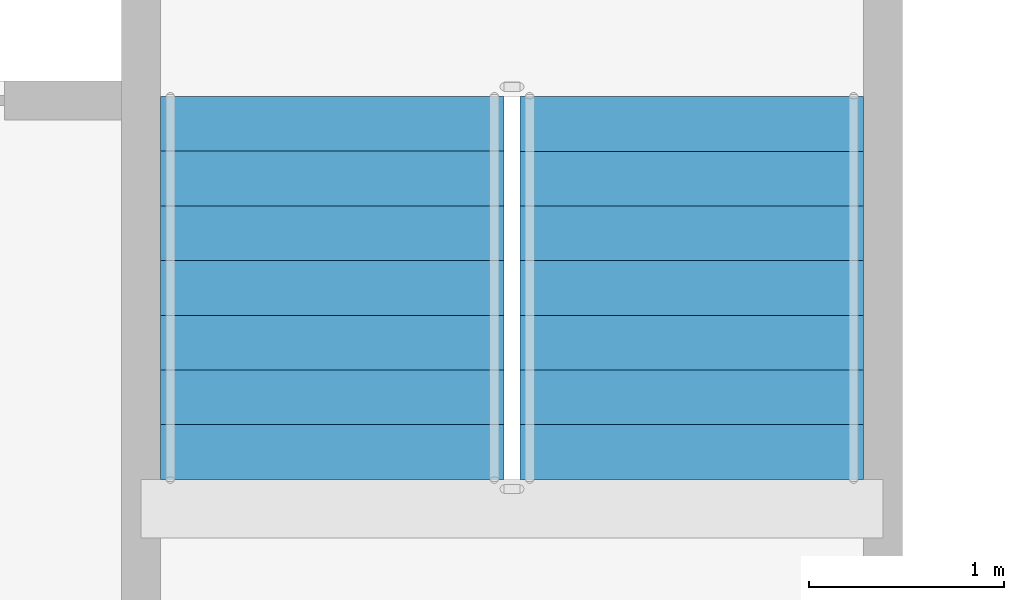
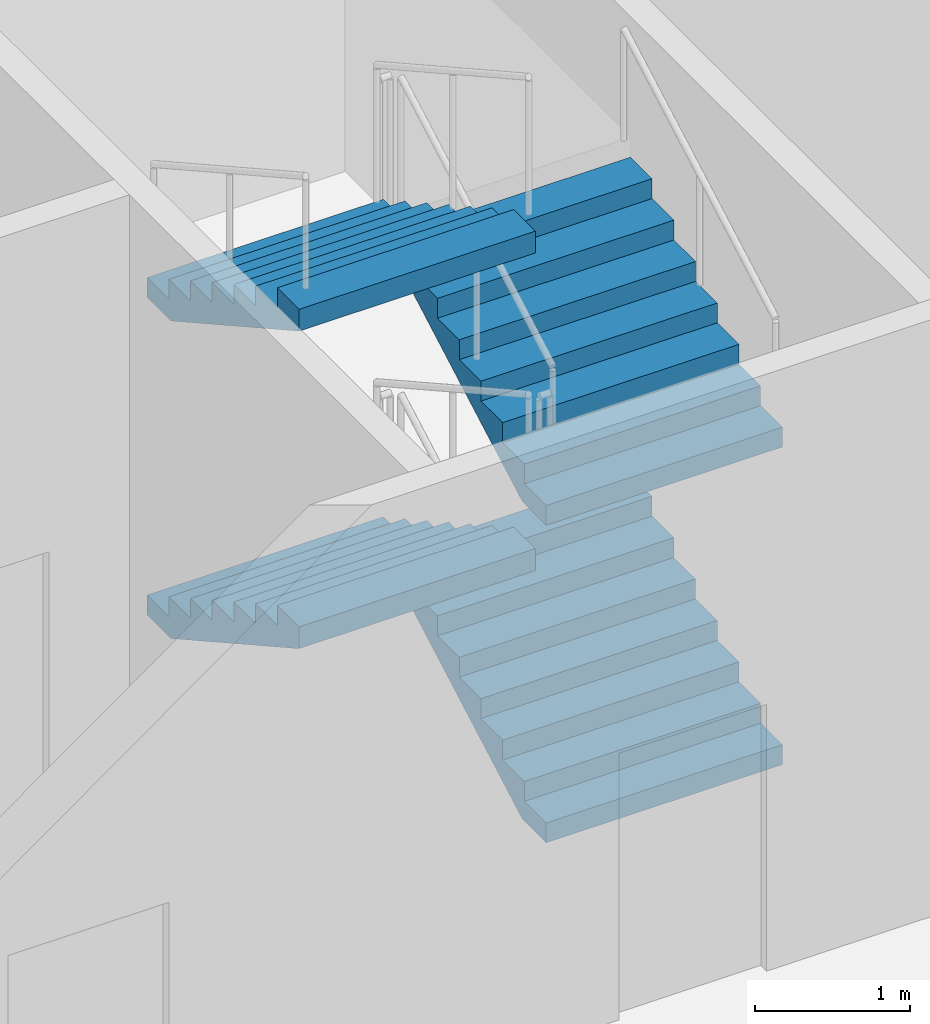
# One storey, part 8 of 21: 4 stair flights, 1 element without a shape of its own.
"""IFC4 building model written with IfcOpenShell, lengths in metres."""

from ifc_helpers import new_model, si_unit, direction, frame, origin, place, context, subcontext, project, spatial, faceted_brep, material, type_object, element, aggregate, save


model = new_model("IFC4")

# Units and contexts
model_context = context("Model", 3, precision=1e-05, world=origin(), true_north=direction((0.0, 1.0)))
body_context = subcontext(model_context, "Body", "Model", "MODEL_VIEW")
ifc_project = project(units=[si_unit("LENGTHUNIT", "METRE"), si_unit("AREAUNIT", "SQUARE_METRE"), si_unit("VOLUMEUNIT", "CUBIC_METRE"), si_unit("PLANEANGLEUNIT", "RADIAN"), si_unit("MASSUNIT", "GRAM", prefix="KILO")], contexts=[model_context])

# Site, building, storey
site_placement = place(None, origin())
site = spatial("IfcSite", under=ifc_project, at=site_placement, CompositionType="ELEMENT")
building_placement = place(site_placement, origin())
building = spatial("IfcBuilding", under=site, at=building_placement, Name="Tarsis Ring Headquarters", CompositionType="ELEMENT")
storey_placement = place(building_placement, frame((0.0, 0.0, 398.60009765625)))
storey = spatial("IfcBuildingStorey", under=building, at=storey_placement, Name="L94", CompositionType="ELEMENT", Elevation=398.60009765625)

# Stair, stair flights
ifc_material_1 = material(Name="Core stair 1760")
stair_type = type_object("IfcStairType", Name="Core stair 1760", PredefinedType="HALF_TURN_STAIR", material=ifc_material_1)
stair_placement = place(storey_placement, origin())
stair = element("IfcStair", 1, at=stair_placement, inside=storey, type_object=stair_type, Name="L94 Exit stair B", PredefinedType="HALF_TURN_STAIR")
ifc_material_2 = material(Name="Concrete C40/50", Category="concrete")
stair_flight_type = type_object("IfcStairFlightType", Name="Core stair flight 1760", PredefinedType="STRAIGHT", material=ifc_material_2)
stair_flight_1_placement = place(storey_placement, frame((5.419921875, 3.659912109375, 0.0), z_axis=(0.0, 0.0, 1.0), x_axis=(0.0, 1.0, 0.0)))
stair_flight_1 = element("IfcStairFlight", 2, at=stair_flight_1_placement, type_object=stair_flight_type, Name="Stair ST2 flight 1", NumberOfRisers=8, NumberOfTreads=7, PredefinedType="STRAIGHT", RiserHeight=0.15625, TreadLength=0.28, context=body_context, shape_type="Brep", body=[
    faceted_brep([(0.0, 0.8798828125, 0.0), (0.0, 0.8798828125, 0.15625), (0.280029296875, 0.8798828125, 0.15625), (0.280029296875, 0.8798828125, 0.3125), (0.56005859375, 0.8798828125, 0.3125), (0.56005859375, 0.8798828125, 0.46875), (0.840087890625, 0.8798828125, 0.46875), (0.840087890625, 0.8798828125, 0.625), (1.1201171875, 0.8798828125, 0.625), (1.1201171875, 0.8798828125, 0.78125), (1.39990234375, 0.8798828125, 0.78125), (1.39990234375, 0.8798828125, 0.9375), (1.679931640625, 0.8798828125, 0.9375), (1.679931640625, 0.8798828125, 1.09375), (1.9599609375, 0.8798828125, 1.09375), (1.9599609375, 0.8798828125, 0.922119140625), (0.3076171875, 0.8798828125, 0.0), (0.3076171875, -0.8798828125, 0.0), (1.9599609375, -0.8798828125, 0.922119140625), (1.9599609375, -0.8798828125, 1.09375), (1.679931640625, -0.8798828125, 1.09375), (1.679931640625, -0.8798828125, 0.9375), (1.39990234375, -0.8798828125, 0.9375), (1.39990234375, -0.8798828125, 0.78125), (1.1201171875, -0.8798828125, 0.78125), (1.1201171875, -0.8798828125, 0.625), (0.840087890625, -0.8798828125, 0.625), (0.840087890625, -0.8798828125, 0.46875), (0.56005859375, -0.8798828125, 0.46875), (0.56005859375, -0.8798828125, 0.3125), (0.280029296875, -0.8798828125, 0.3125), (0.280029296875, -0.8798828125, 0.15625), (0.0, -0.8798828125, 0.15625), (0.0, -0.8798828125, 0.0), (0.0, -0.43994140625, 0.15625), (0.0, -0.43994140625, 0.0), (0.0, 0.0, 0.15625), (0.0, 0.0, 0.0), (0.0, 0.43994140625, 0.15625), (0.0, 0.43994140625, 0.0), (0.280029296875, -0.43994140625, 0.15625), (0.280029296875, 0.0, 0.15625), (0.280029296875, 0.43994140625, 0.15625), (0.280029296875, -0.43994140625, 0.3125), (0.280029296875, 0.0, 0.3125), (0.280029296875, 0.43994140625, 0.3125), (0.56005859375, -0.43994140625, 0.3125), (0.56005859375, 0.0, 0.3125), (0.56005859375, 0.43994140625, 0.3125), (0.56005859375, -0.43994140625, 0.46875), (0.56005859375, 0.0, 0.46875), (0.56005859375, 0.43994140625, 0.46875), (0.840087890625, -0.43994140625, 0.46875), (0.840087890625, 0.0, 0.46875), (0.840087890625, 0.43994140625, 0.46875), (0.840087890625, -0.43994140625, 0.625), (0.840087890625, 0.0, 0.625), (0.840087890625, 0.43994140625, 0.625), (1.1201171875, -0.43994140625, 0.625), (1.1201171875, 0.0, 0.625), (1.1201171875, 0.43994140625, 0.625), (1.1201171875, -0.43994140625, 0.78125), (1.1201171875, 0.0, 0.78125), (1.1201171875, 0.43994140625, 0.78125), (1.39990234375, -0.43994140625, 0.78125), (1.39990234375, 0.0, 0.78125), (1.39990234375, 0.43994140625, 0.78125), (1.39990234375, -0.43994140625, 0.9375), (1.39990234375, 0.0, 0.9375), (1.39990234375, 0.43994140625, 0.9375), (1.679931640625, -0.43994140625, 0.9375), (1.679931640625, 0.0, 0.9375), (1.679931640625, 0.43994140625, 0.9375), (1.679931640625, -0.43994140625, 1.09375), (1.679931640625, 0.0, 1.09375), (1.679931640625, 0.43994140625, 1.09375), (1.9599609375, -0.43994140625, 1.09375), (1.9599609375, 0.0, 1.09375), (1.9599609375, 0.43994140625, 1.09375), (1.9599609375, -0.43994140625, 0.922119140625), (1.9599609375, 0.0, 0.922119140625), (1.9599609375, 0.43994140625, 0.922119140625), (0.3076171875, -0.43994140625, 0.0), (0.3076171875, 0.0, 0.0), (0.3076171875, 0.43994140625, 0.0)], [[[0, 1, 2, 3, 4, 5, 6, 7, 8, 9, 10, 11, 12, 13, 14, 15, 16]], [[17, 18, 19, 20, 21, 22, 23, 24, 25, 26, 27, 28, 29, 30, 31, 32, 33]], [[33, 32, 34, 35]], [[35, 34, 36, 37]], [[37, 36, 38, 39]], [[39, 38, 1, 0]], [[32, 31, 40, 34]], [[34, 40, 41, 36]], [[36, 41, 42, 38]], [[38, 42, 2, 1]], [[31, 30, 43, 40]], [[40, 43, 44, 41]], [[41, 44, 45, 42]], [[42, 45, 3, 2]], [[30, 29, 46, 43]], [[43, 46, 47, 44]], [[44, 47, 48, 45]], [[45, 48, 4, 3]], [[29, 28, 49, 46]], [[46, 49, 50, 47]], [[47, 50, 51, 48]], [[48, 51, 5, 4]], [[28, 27, 52, 49]], [[49, 52, 53, 50]], [[50, 53, 54, 51]], [[51, 54, 6, 5]], [[27, 26, 55, 52]], [[52, 55, 56, 53]], [[53, 56, 57, 54]], [[54, 57, 7, 6]], [[26, 25, 58, 55]], [[55, 58, 59, 56]], [[56, 59, 60, 57]], [[57, 60, 8, 7]], [[25, 24, 61, 58]], [[58, 61, 62, 59]], [[59, 62, 63, 60]], [[60, 63, 9, 8]], [[24, 23, 64, 61]], [[61, 64, 65, 62]], [[62, 65, 66, 63]], [[63, 66, 10, 9]], [[23, 22, 67, 64]], [[64, 67, 68, 65]], [[65, 68, 69, 66]], [[66, 69, 11, 10]], [[22, 21, 70, 67]], [[67, 70, 71, 68]], [[68, 71, 72, 69]], [[69, 72, 12, 11]], [[21, 20, 73, 70]], [[70, 73, 74, 71]], [[71, 74, 75, 72]], [[72, 75, 13, 12]], [[20, 19, 76, 73]], [[73, 76, 77, 74]], [[74, 77, 78, 75]], [[75, 78, 14, 13]], [[19, 18, 79, 76]], [[76, 79, 80, 77]], [[77, 80, 81, 78]], [[78, 81, 15, 14]], [[18, 17, 82, 79]], [[79, 82, 83, 80]], [[80, 83, 84, 81]], [[81, 84, 16, 15]], [[17, 33, 35, 82]], [[82, 35, 37, 83]], [[83, 37, 39, 84]], [[84, 39, 0, 16]]]),
])
stair_flight_2_placement = place(storey_placement, frame((3.580078125, 5.6201171875, 1.25), z_axis=(0.0, 0.0, 1.0), x_axis=(0.0, -1.0, 0.0)))
stair_flight_2 = element("IfcStairFlight", 3, at=stair_flight_2_placement, type_object=stair_flight_type, Name="Stair ST2 flight 2", NumberOfRisers=8, NumberOfTreads=7, PredefinedType="STRAIGHT", RiserHeight=0.15625, TreadLength=0.28, context=body_context, shape_type="Brep", body=[
    faceted_brep([(0.0, 0.8798828125, 0.0), (0.0, 0.8798828125, 0.15625), (0.280029296875, 0.8798828125, 0.15625), (0.280029296875, 0.8798828125, 0.3125), (0.56005859375, 0.8798828125, 0.3125), (0.56005859375, 0.8798828125, 0.46875), (0.840087890625, 0.8798828125, 0.46875), (0.840087890625, 0.8798828125, 0.625), (1.1201171875, 0.8798828125, 0.625), (1.1201171875, 0.8798828125, 0.78125), (1.39990234375, 0.8798828125, 0.78125), (1.39990234375, 0.8798828125, 0.9375), (1.679931640625, 0.8798828125, 0.9375), (1.679931640625, 0.8798828125, 1.09375), (1.9599609375, 0.8798828125, 1.09375), (1.9599609375, 0.8798828125, 0.922119140625), (0.3076171875, 0.8798828125, 0.0), (0.3076171875, -0.8798828125, 0.0), (1.9599609375, -0.8798828125, 0.922119140625), (1.9599609375, -0.8798828125, 1.09375), (1.679931640625, -0.8798828125, 1.09375), (1.679931640625, -0.8798828125, 0.9375), (1.39990234375, -0.8798828125, 0.9375), (1.39990234375, -0.8798828125, 0.78125), (1.1201171875, -0.8798828125, 0.78125), (1.1201171875, -0.8798828125, 0.625), (0.840087890625, -0.8798828125, 0.625), (0.840087890625, -0.8798828125, 0.46875), (0.56005859375, -0.8798828125, 0.46875), (0.56005859375, -0.8798828125, 0.3125), (0.280029296875, -0.8798828125, 0.3125), (0.280029296875, -0.8798828125, 0.15625), (0.0, -0.8798828125, 0.15625), (0.0, -0.8798828125, 0.0), (0.0, -0.43994140625, 0.15625), (0.0, -0.43994140625, 0.0), (0.0, 0.0, 0.15625), (0.0, 0.0, 0.0), (0.0, 0.43994140625, 0.15625), (0.0, 0.43994140625, 0.0), (0.280029296875, -0.43994140625, 0.15625), (0.280029296875, 0.0, 0.15625), (0.280029296875, 0.43994140625, 0.15625), (0.280029296875, -0.43994140625, 0.3125), (0.280029296875, 0.0, 0.3125), (0.280029296875, 0.43994140625, 0.3125), (0.56005859375, -0.43994140625, 0.3125), (0.56005859375, 0.0, 0.3125), (0.56005859375, 0.43994140625, 0.3125), (0.56005859375, -0.43994140625, 0.46875), (0.56005859375, 0.0, 0.46875), (0.56005859375, 0.43994140625, 0.46875), (0.840087890625, -0.43994140625, 0.46875), (0.840087890625, 0.0, 0.46875), (0.840087890625, 0.43994140625, 0.46875), (0.840087890625, -0.43994140625, 0.625), (0.840087890625, 0.0, 0.625), (0.840087890625, 0.43994140625, 0.625), (1.1201171875, -0.43994140625, 0.625), (1.1201171875, 0.0, 0.625), (1.1201171875, 0.43994140625, 0.625), (1.1201171875, -0.43994140625, 0.78125), (1.1201171875, 0.0, 0.78125), (1.1201171875, 0.43994140625, 0.78125), (1.39990234375, -0.43994140625, 0.78125), (1.39990234375, 0.0, 0.78125), (1.39990234375, 0.43994140625, 0.78125), (1.39990234375, -0.43994140625, 0.9375), (1.39990234375, 0.0, 0.9375), (1.39990234375, 0.43994140625, 0.9375), (1.679931640625, -0.43994140625, 0.9375), (1.679931640625, 0.0, 0.9375), (1.679931640625, 0.43994140625, 0.9375), (1.679931640625, -0.43994140625, 1.09375), (1.679931640625, 0.0, 1.09375), (1.679931640625, 0.43994140625, 1.09375), (1.9599609375, -0.43994140625, 1.09375), (1.9599609375, 0.0, 1.09375), (1.9599609375, 0.43994140625, 1.09375), (1.9599609375, -0.43994140625, 0.922119140625), (1.9599609375, 0.0, 0.922119140625), (1.9599609375, 0.43994140625, 0.922119140625), (0.3076171875, -0.43994140625, 0.0), (0.3076171875, 0.0, 0.0), (0.3076171875, 0.43994140625, 0.0)], [[[0, 1, 2, 3, 4, 5, 6, 7, 8, 9, 10, 11, 12, 13, 14, 15, 16]], [[17, 18, 19, 20, 21, 22, 23, 24, 25, 26, 27, 28, 29, 30, 31, 32, 33]], [[33, 32, 34, 35]], [[35, 34, 36, 37]], [[37, 36, 38, 39]], [[39, 38, 1, 0]], [[32, 31, 40, 34]], [[34, 40, 41, 36]], [[36, 41, 42, 38]], [[38, 42, 2, 1]], [[31, 30, 43, 40]], [[40, 43, 44, 41]], [[41, 44, 45, 42]], [[42, 45, 3, 2]], [[30, 29, 46, 43]], [[43, 46, 47, 44]], [[44, 47, 48, 45]], [[45, 48, 4, 3]], [[29, 28, 49, 46]], [[46, 49, 50, 47]], [[47, 50, 51, 48]], [[48, 51, 5, 4]], [[28, 27, 52, 49]], [[49, 52, 53, 50]], [[50, 53, 54, 51]], [[51, 54, 6, 5]], [[27, 26, 55, 52]], [[52, 55, 56, 53]], [[53, 56, 57, 54]], [[54, 57, 7, 6]], [[26, 25, 58, 55]], [[55, 58, 59, 56]], [[56, 59, 60, 57]], [[57, 60, 8, 7]], [[25, 24, 61, 58]], [[58, 61, 62, 59]], [[59, 62, 63, 60]], [[60, 63, 9, 8]], [[24, 23, 64, 61]], [[61, 64, 65, 62]], [[62, 65, 66, 63]], [[63, 66, 10, 9]], [[23, 22, 67, 64]], [[64, 67, 68, 65]], [[65, 68, 69, 66]], [[66, 69, 11, 10]], [[22, 21, 70, 67]], [[67, 70, 71, 68]], [[68, 71, 72, 69]], [[69, 72, 12, 11]], [[21, 20, 73, 70]], [[70, 73, 74, 71]], [[71, 74, 75, 72]], [[72, 75, 13, 12]], [[20, 19, 76, 73]], [[73, 76, 77, 74]], [[74, 77, 78, 75]], [[75, 78, 14, 13]], [[19, 18, 79, 76]], [[76, 79, 80, 77]], [[77, 80, 81, 78]], [[78, 81, 15, 14]], [[18, 17, 82, 79]], [[79, 82, 83, 80]], [[80, 83, 84, 81]], [[81, 84, 16, 15]], [[17, 33, 35, 82]], [[82, 35, 37, 83]], [[83, 37, 39, 84]], [[84, 39, 0, 16]]]),
])
stair_flight_3_placement = place(storey_placement, frame((5.419921875, 3.659912109375, 2.5), z_axis=(0.0, 0.0, 1.0), x_axis=(0.0, 1.0, 0.0)))
stair_flight_3 = element("IfcStairFlight", 4, at=stair_flight_3_placement, type_object=stair_flight_type, Name="Stair ST2 flight 3", NumberOfRisers=8, NumberOfTreads=7, PredefinedType="STRAIGHT", RiserHeight=0.15625, TreadLength=0.28, context=body_context, shape_type="Brep", body=[
    faceted_brep([(0.0, 0.8798828125, 0.0), (0.0, 0.8798828125, 0.15625), (0.280029296875, 0.8798828125, 0.15625), (0.280029296875, 0.8798828125, 0.3125), (0.56005859375, 0.8798828125, 0.3125), (0.56005859375, 0.8798828125, 0.46875), (0.840087890625, 0.8798828125, 0.46875), (0.840087890625, 0.8798828125, 0.625), (1.1201171875, 0.8798828125, 0.625), (1.1201171875, 0.8798828125, 0.78125), (1.39990234375, 0.8798828125, 0.78125), (1.39990234375, 0.8798828125, 0.9375), (1.679931640625, 0.8798828125, 0.9375), (1.679931640625, 0.8798828125, 1.09375), (1.9599609375, 0.8798828125, 1.09375), (1.9599609375, 0.8798828125, 0.922119140625), (0.3076171875, 0.8798828125, 0.0), (0.3076171875, -0.8798828125, 0.0), (1.9599609375, -0.8798828125, 0.922119140625), (1.9599609375, -0.8798828125, 1.09375), (1.679931640625, -0.8798828125, 1.09375), (1.679931640625, -0.8798828125, 0.9375), (1.39990234375, -0.8798828125, 0.9375), (1.39990234375, -0.8798828125, 0.78125), (1.1201171875, -0.8798828125, 0.78125), (1.1201171875, -0.8798828125, 0.625), (0.840087890625, -0.8798828125, 0.625), (0.840087890625, -0.8798828125, 0.46875), (0.56005859375, -0.8798828125, 0.46875), (0.56005859375, -0.8798828125, 0.3125), (0.280029296875, -0.8798828125, 0.3125), (0.280029296875, -0.8798828125, 0.15625), (0.0, -0.8798828125, 0.15625), (0.0, -0.8798828125, 0.0), (0.0, -0.43994140625, 0.15625), (0.0, -0.43994140625, 0.0), (0.0, 0.0, 0.15625), (0.0, 0.0, 0.0), (0.0, 0.43994140625, 0.15625), (0.0, 0.43994140625, 0.0), (0.280029296875, -0.43994140625, 0.15625), (0.280029296875, 0.0, 0.15625), (0.280029296875, 0.43994140625, 0.15625), (0.280029296875, -0.43994140625, 0.3125), (0.280029296875, 0.0, 0.3125), (0.280029296875, 0.43994140625, 0.3125), (0.56005859375, -0.43994140625, 0.3125), (0.56005859375, 0.0, 0.3125), (0.56005859375, 0.43994140625, 0.3125), (0.56005859375, -0.43994140625, 0.46875), (0.56005859375, 0.0, 0.46875), (0.56005859375, 0.43994140625, 0.46875), (0.840087890625, -0.43994140625, 0.46875), (0.840087890625, 0.0, 0.46875), (0.840087890625, 0.43994140625, 0.46875), (0.840087890625, -0.43994140625, 0.625), (0.840087890625, 0.0, 0.625), (0.840087890625, 0.43994140625, 0.625), (1.1201171875, -0.43994140625, 0.625), (1.1201171875, 0.0, 0.625), (1.1201171875, 0.43994140625, 0.625), (1.1201171875, -0.43994140625, 0.78125), (1.1201171875, 0.0, 0.78125), (1.1201171875, 0.43994140625, 0.78125), (1.39990234375, -0.43994140625, 0.78125), (1.39990234375, 0.0, 0.78125), (1.39990234375, 0.43994140625, 0.78125), (1.39990234375, -0.43994140625, 0.9375), (1.39990234375, 0.0, 0.9375), (1.39990234375, 0.43994140625, 0.9375), (1.679931640625, -0.43994140625, 0.9375), (1.679931640625, 0.0, 0.9375), (1.679931640625, 0.43994140625, 0.9375), (1.679931640625, -0.43994140625, 1.09375), (1.679931640625, 0.0, 1.09375), (1.679931640625, 0.43994140625, 1.09375), (1.9599609375, -0.43994140625, 1.09375), (1.9599609375, 0.0, 1.09375), (1.9599609375, 0.43994140625, 1.09375), (1.9599609375, -0.43994140625, 0.922119140625), (1.9599609375, 0.0, 0.922119140625), (1.9599609375, 0.43994140625, 0.922119140625), (0.3076171875, -0.43994140625, 0.0), (0.3076171875, 0.0, 0.0), (0.3076171875, 0.43994140625, 0.0)], [[[0, 1, 2, 3, 4, 5, 6, 7, 8, 9, 10, 11, 12, 13, 14, 15, 16]], [[17, 18, 19, 20, 21, 22, 23, 24, 25, 26, 27, 28, 29, 30, 31, 32, 33]], [[33, 32, 34, 35]], [[35, 34, 36, 37]], [[37, 36, 38, 39]], [[39, 38, 1, 0]], [[32, 31, 40, 34]], [[34, 40, 41, 36]], [[36, 41, 42, 38]], [[38, 42, 2, 1]], [[31, 30, 43, 40]], [[40, 43, 44, 41]], [[41, 44, 45, 42]], [[42, 45, 3, 2]], [[30, 29, 46, 43]], [[43, 46, 47, 44]], [[44, 47, 48, 45]], [[45, 48, 4, 3]], [[29, 28, 49, 46]], [[46, 49, 50, 47]], [[47, 50, 51, 48]], [[48, 51, 5, 4]], [[28, 27, 52, 49]], [[49, 52, 53, 50]], [[50, 53, 54, 51]], [[51, 54, 6, 5]], [[27, 26, 55, 52]], [[52, 55, 56, 53]], [[53, 56, 57, 54]], [[54, 57, 7, 6]], [[26, 25, 58, 55]], [[55, 58, 59, 56]], [[56, 59, 60, 57]], [[57, 60, 8, 7]], [[25, 24, 61, 58]], [[58, 61, 62, 59]], [[59, 62, 63, 60]], [[60, 63, 9, 8]], [[24, 23, 64, 61]], [[61, 64, 65, 62]], [[62, 65, 66, 63]], [[63, 66, 10, 9]], [[23, 22, 67, 64]], [[64, 67, 68, 65]], [[65, 68, 69, 66]], [[66, 69, 11, 10]], [[22, 21, 70, 67]], [[67, 70, 71, 68]], [[68, 71, 72, 69]], [[69, 72, 12, 11]], [[21, 20, 73, 70]], [[70, 73, 74, 71]], [[71, 74, 75, 72]], [[72, 75, 13, 12]], [[20, 19, 76, 73]], [[73, 76, 77, 74]], [[74, 77, 78, 75]], [[75, 78, 14, 13]], [[19, 18, 79, 76]], [[76, 79, 80, 77]], [[77, 80, 81, 78]], [[78, 81, 15, 14]], [[18, 17, 82, 79]], [[79, 82, 83, 80]], [[80, 83, 84, 81]], [[81, 84, 16, 15]], [[17, 33, 35, 82]], [[82, 35, 37, 83]], [[83, 37, 39, 84]], [[84, 39, 0, 16]]]),
])
stair_flight_4_placement = place(storey_placement, frame((3.580078125, 5.6201171875, 3.75), z_axis=(0.0, 0.0, 1.0), x_axis=(0.0, -1.0, 0.0)))
stair_flight_4 = element("IfcStairFlight", 5, at=stair_flight_4_placement, type_object=stair_flight_type, Name="Stair ST2 flight 4", NumberOfRisers=8, NumberOfTreads=7, PredefinedType="STRAIGHT", RiserHeight=0.15625, TreadLength=0.28, context=body_context, shape_type="Brep", body=[
    faceted_brep([(0.0, 0.8798828125, 0.0), (0.0, 0.8798828125, 0.15625), (0.280029296875, 0.8798828125, 0.15625), (0.280029296875, 0.8798828125, 0.3125), (0.56005859375, 0.8798828125, 0.3125), (0.56005859375, 0.8798828125, 0.46875), (0.840087890625, 0.8798828125, 0.46875), (0.840087890625, 0.8798828125, 0.625), (1.1201171875, 0.8798828125, 0.625), (1.1201171875, 0.8798828125, 0.78125), (1.39990234375, 0.8798828125, 0.78125), (1.39990234375, 0.8798828125, 0.9375), (1.679931640625, 0.8798828125, 0.9375), (1.679931640625, 0.8798828125, 1.09375), (1.9599609375, 0.8798828125, 1.09375), (1.9599609375, 0.8798828125, 0.922119140625), (0.3076171875, 0.8798828125, 0.0), (0.3076171875, -0.8798828125, 0.0), (1.9599609375, -0.8798828125, 0.922119140625), (1.9599609375, -0.8798828125, 1.09375), (1.679931640625, -0.8798828125, 1.09375), (1.679931640625, -0.8798828125, 0.9375), (1.39990234375, -0.8798828125, 0.9375), (1.39990234375, -0.8798828125, 0.78125), (1.1201171875, -0.8798828125, 0.78125), (1.1201171875, -0.8798828125, 0.625), (0.840087890625, -0.8798828125, 0.625), (0.840087890625, -0.8798828125, 0.46875), (0.56005859375, -0.8798828125, 0.46875), (0.56005859375, -0.8798828125, 0.3125), (0.280029296875, -0.8798828125, 0.3125), (0.280029296875, -0.8798828125, 0.15625), (0.0, -0.8798828125, 0.15625), (0.0, -0.8798828125, 0.0), (0.0, -0.43994140625, 0.15625), (0.0, -0.43994140625, 0.0), (0.0, 0.0, 0.15625), (0.0, 0.0, 0.0), (0.0, 0.43994140625, 0.15625), (0.0, 0.43994140625, 0.0), (0.280029296875, -0.43994140625, 0.15625), (0.280029296875, 0.0, 0.15625), (0.280029296875, 0.43994140625, 0.15625), (0.280029296875, -0.43994140625, 0.3125), (0.280029296875, 0.0, 0.3125), (0.280029296875, 0.43994140625, 0.3125), (0.56005859375, -0.43994140625, 0.3125), (0.56005859375, 0.0, 0.3125), (0.56005859375, 0.43994140625, 0.3125), (0.56005859375, -0.43994140625, 0.46875), (0.56005859375, 0.0, 0.46875), (0.56005859375, 0.43994140625, 0.46875), (0.840087890625, -0.43994140625, 0.46875), (0.840087890625, 0.0, 0.46875), (0.840087890625, 0.43994140625, 0.46875), (0.840087890625, -0.43994140625, 0.625), (0.840087890625, 0.0, 0.625), (0.840087890625, 0.43994140625, 0.625), (1.1201171875, -0.43994140625, 0.625), (1.1201171875, 0.0, 0.625), (1.1201171875, 0.43994140625, 0.625), (1.1201171875, -0.43994140625, 0.78125), (1.1201171875, 0.0, 0.78125), (1.1201171875, 0.43994140625, 0.78125), (1.39990234375, -0.43994140625, 0.78125), (1.39990234375, 0.0, 0.78125), (1.39990234375, 0.43994140625, 0.78125), (1.39990234375, -0.43994140625, 0.9375), (1.39990234375, 0.0, 0.9375), (1.39990234375, 0.43994140625, 0.9375), (1.679931640625, -0.43994140625, 0.9375), (1.679931640625, 0.0, 0.9375), (1.679931640625, 0.43994140625, 0.9375), (1.679931640625, -0.43994140625, 1.09375), (1.679931640625, 0.0, 1.09375), (1.679931640625, 0.43994140625, 1.09375), (1.9599609375, -0.43994140625, 1.09375), (1.9599609375, 0.0, 1.09375), (1.9599609375, 0.43994140625, 1.09375), (1.9599609375, -0.43994140625, 0.922119140625), (1.9599609375, 0.0, 0.922119140625), (1.9599609375, 0.43994140625, 0.922119140625), (0.3076171875, -0.43994140625, 0.0), (0.3076171875, 0.0, 0.0), (0.3076171875, 0.43994140625, 0.0)], [[[0, 1, 2, 3, 4, 5, 6, 7, 8, 9, 10, 11, 12, 13, 14, 15, 16]], [[17, 18, 19, 20, 21, 22, 23, 24, 25, 26, 27, 28, 29, 30, 31, 32, 33]], [[33, 32, 34, 35]], [[35, 34, 36, 37]], [[37, 36, 38, 39]], [[39, 38, 1, 0]], [[32, 31, 40, 34]], [[34, 40, 41, 36]], [[36, 41, 42, 38]], [[38, 42, 2, 1]], [[31, 30, 43, 40]], [[40, 43, 44, 41]], [[41, 44, 45, 42]], [[42, 45, 3, 2]], [[30, 29, 46, 43]], [[43, 46, 47, 44]], [[44, 47, 48, 45]], [[45, 48, 4, 3]], [[29, 28, 49, 46]], [[46, 49, 50, 47]], [[47, 50, 51, 48]], [[48, 51, 5, 4]], [[28, 27, 52, 49]], [[49, 52, 53, 50]], [[50, 53, 54, 51]], [[51, 54, 6, 5]], [[27, 26, 55, 52]], [[52, 55, 56, 53]], [[53, 56, 57, 54]], [[54, 57, 7, 6]], [[26, 25, 58, 55]], [[55, 58, 59, 56]], [[56, 59, 60, 57]], [[57, 60, 8, 7]], [[25, 24, 61, 58]], [[58, 61, 62, 59]], [[59, 62, 63, 60]], [[60, 63, 9, 8]], [[24, 23, 64, 61]], [[61, 64, 65, 62]], [[62, 65, 66, 63]], [[63, 66, 10, 9]], [[23, 22, 67, 64]], [[64, 67, 68, 65]], [[65, 68, 69, 66]], [[66, 69, 11, 10]], [[22, 21, 70, 67]], [[67, 70, 71, 68]], [[68, 71, 72, 69]], [[69, 72, 12, 11]], [[21, 20, 73, 70]], [[70, 73, 74, 71]], [[71, 74, 75, 72]], [[72, 75, 13, 12]], [[20, 19, 76, 73]], [[73, 76, 77, 74]], [[74, 77, 78, 75]], [[75, 78, 14, 13]], [[19, 18, 79, 76]], [[76, 79, 80, 77]], [[77, 80, 81, 78]], [[78, 81, 15, 14]], [[18, 17, 82, 79]], [[79, 82, 83, 80]], [[80, 83, 84, 81]], [[81, 84, 16, 15]], [[17, 33, 35, 82]], [[82, 35, 37, 83]], [[83, 37, 39, 84]], [[84, 39, 0, 16]]]),
])
aggregate(stair, [stair_flight_1, stair_flight_2, stair_flight_3, stair_flight_4])

save(model, "model.ifc")
